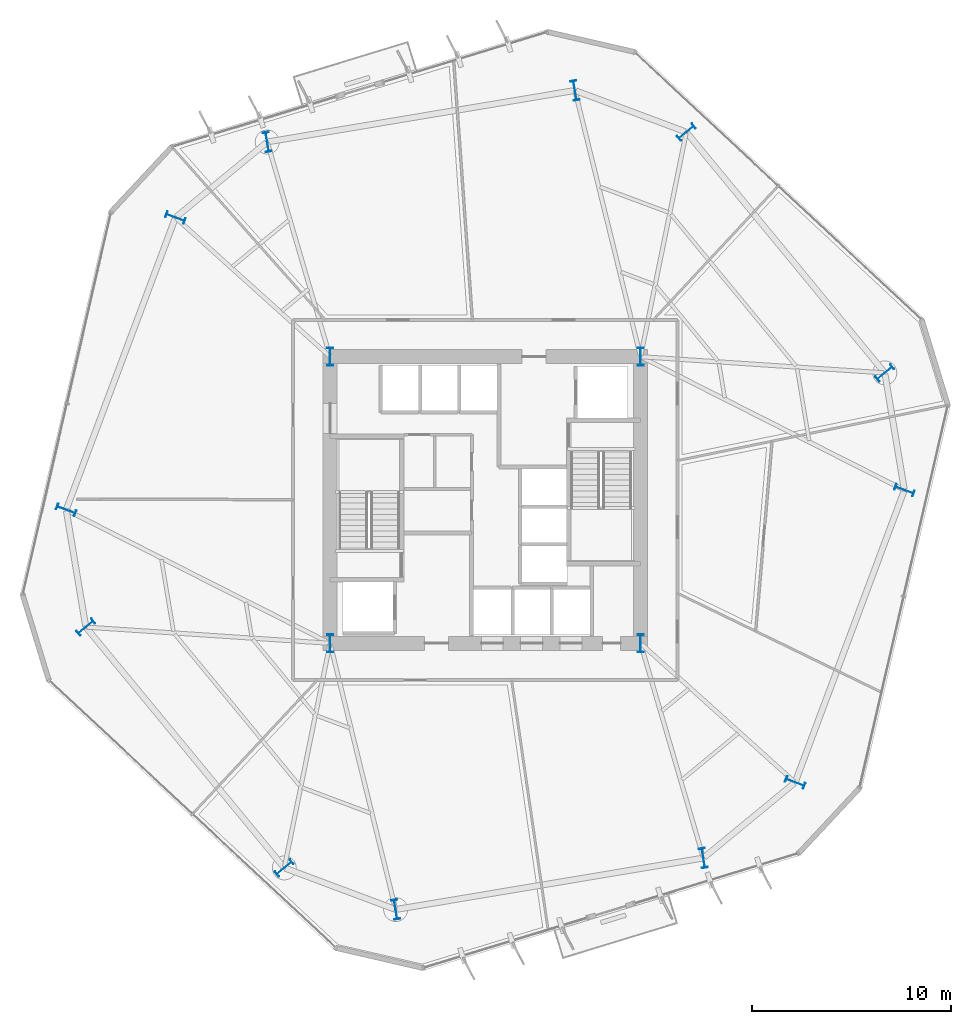
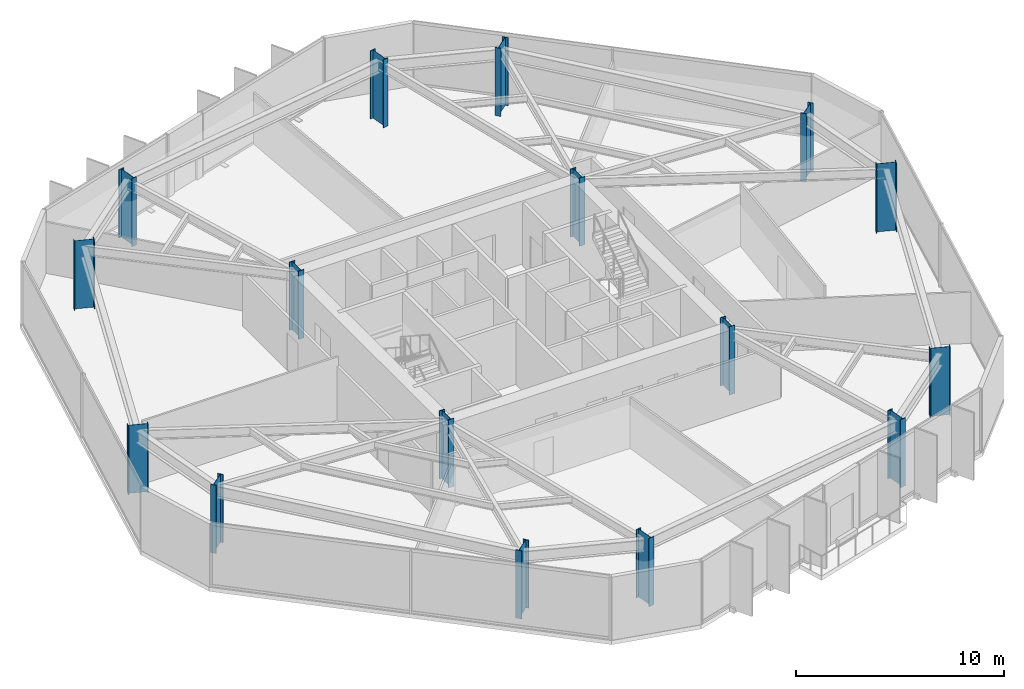
# One storey, part 1 of 9: 16 columns.
"""IFC4 building model written with IfcOpenShell, lengths in metres."""

from ifc_helpers import new_model, si_unit, direction, frame, origin, origin_2d, place, context, subcontext, project, spatial, i_section, extrude, material, material_profile, profile_set, type_object, element, save


model = new_model("IFC4")

# Units and contexts
model_context = context("Model", 3, precision=1e-05, world=origin(), true_north=direction((0.0, 1.0)))
body_context = subcontext(model_context, "Body", "Model", "MODEL_VIEW")
ifc_project = project(units=[si_unit("LENGTHUNIT", "METRE"), si_unit("AREAUNIT", "SQUARE_METRE"), si_unit("VOLUMEUNIT", "CUBIC_METRE"), si_unit("PLANEANGLEUNIT", "RADIAN"), si_unit("MASSUNIT", "GRAM", prefix="KILO")], contexts=[model_context])

# Site, building, storey
site_placement = place(None, origin())
site = spatial("IfcSite", under=ifc_project, at=site_placement, CompositionType="ELEMENT")
building_placement = place(site_placement, origin())
building = spatial("IfcBuilding", under=site, at=building_placement, Name="Kranzbogen Civic Tower", CompositionType="ELEMENT")
storey_placement = place(building_placement, frame((0.0, 0.0, 88.0)))
storey = spatial("IfcBuildingStorey", under=building, at=storey_placement, Name="L21", CompositionType="ELEMENT", Elevation=88.0)

# Columns
ifc_material_1 = material(Name="Steel S355", Category="steel")
ifc_material_profile_1 = material_profile(ifc_material_1, i_section(OverallWidth=0.300048828125, OverallDepth=1.0, WebThickness=0.01904296875, FlangeThickness=0.035888671875, at=origin_2d()), Name="HEB 1000")
ifc_profile_set_1 = profile_set([ifc_material_profile_1], Name="Steel S355")
column_type_1 = type_object("IfcColumnType", Name="Structural Column HEB 1000", PredefinedType="COLUMN", material=ifc_profile_set_1)
for number, where, z_axis, x_axis, name in (
    (1, (45.072021484375, 31.385986328125, 0.0), (0.0, 0.0, 1.0), (-0.636078220278, 0.771624583388, 0.0), "L21 tower perimeter tube column 01"),
    (2, (35.09912109375, 43.48388671875, 0.0), (0.0, 0.0, 1.0), (-0.636078220278, 0.771624583388, 0.0), "L21 tower perimeter tube column 02"),
    (3, (29.5048828125, 45.575927734375, 0.0), (0.0, 0.0, 1.0), (0.986285601537, 0.165047605861, 0.0), "L21 tower perimeter tube column 03"),
    (4, (14.0419921875, 42.988037109375, 0.0), (0.0, 0.0, 1.0), (0.986285601537, 0.165047605861, 0.0), "L21 tower perimeter tube column 04"),
    (5, (9.43310546875, 39.18896484375, 0.0), (0.0, 0.0, 1.0), (0.350207381259, 0.936672189248, 0.0), "L21 tower perimeter tube column 05"),
    (6, (3.943115234375, 24.50390625, 0.0), (0.0, 0.0, 1.0), (0.350207381259, 0.936672189248, 0.0), "L21 tower perimeter tube column 06"),
    (7, (4.927978515625, 18.614013671875, 0.0), (0.0, 0.0, 1.0), (-0.636078220278, 0.771624583388, 0.0), "L21 tower perimeter tube column 07"),
    (8, (14.90087890625, 6.51611328125, 0.0), (0.0, 0.0, 1.0), (-0.636078220278, 0.771624583388, 0.0), "L21 tower perimeter tube column 08"),
    (9, (20.4951171875, 4.424072265625, 0.0), (0.0, 0.0, 1.0), (0.986285601537, 0.165047605861, 0.0), "L21 tower perimeter tube column 09"),
    (10, (35.9580078125, 7.011962890625, 0.0), (0.0, 0.0, 1.0), (0.986285601537, 0.165047605861, 0.0), "L21 tower perimeter tube column 10"),
    (11, (40.56689453125, 10.81103515625, 0.0), (0.0, 0.0, 1.0), (0.350207381259, 0.936672189248, 0.0), "L21 tower perimeter tube column 11"),
    (12, (46.056884765625, 25.49609375, 0.0), (0.0, 0.0, 1.0), (0.350207381259, 0.936672189248, 0.0), "L21 tower perimeter tube column 12"),
):
    element("IfcColumn", number, at=place(storey_placement, frame(where, z_axis=z_axis, x_axis=x_axis)), inside=storey, type_object=column_type_1, Name=name, PredefinedType="COLUMN", context=body_context, shape_type="SweptSolid", body=[
        extrude(i_section(OverallWidth=0.300048828125, OverallDepth=1.0, WebThickness=0.01904296875, FlangeThickness=0.035888671875, at=origin_2d()), origin(), (0.0, 0.0, 1.0), 4.0),
    ])
ifc_material_2 = material(Name="Steel S460", Category="steel")
ifc_material_profile_2 = material_profile(ifc_material_2, i_section(OverallWidth=0.302001953125, OverallDepth=0.909912109375, WebThickness=0.02099609375, FlangeThickness=0.0400390625, at=origin_2d()), Name="HEM 900")
ifc_profile_set_2 = profile_set([ifc_material_profile_2], Name="Steel S460")
column_type_2 = type_object("IfcColumnType", Name="Structural Column HEM 900", PredefinedType="COLUMN", material=ifc_profile_set_2)
for number, where, z_axis, x_axis, name in (
    (13, (17.199951171875, 17.800048828125, 0.0), (0.0, 0.0, 1.0), (1.0, 0.0, 0.0), "L21 composite core corner column 1"),
    (14, (32.800048828125, 17.800048828125, 0.0), (0.0, 0.0, 1.0), (1.0, 0.0, 0.0), "L21 composite core corner column 2"),
    (15, (32.800048828125, 32.199951171875, 0.0), (0.0, 0.0, 1.0), (1.0, 0.0, 0.0), "L21 composite core corner column 3"),
    (16, (17.199951171875, 32.199951171875, 0.0), (0.0, 0.0, 1.0), (1.0, 0.0, 0.0), "L21 composite core corner column 4"),
):
    element("IfcColumn", number, at=place(storey_placement, frame(where, z_axis=z_axis, x_axis=x_axis)), inside=storey, type_object=column_type_2, Name=name, PredefinedType="COLUMN", context=body_context, shape_type="SweptSolid", body=[
        extrude(i_section(OverallWidth=0.302001953125, OverallDepth=0.909912109375, WebThickness=0.02099609375, FlangeThickness=0.0400390625, at=origin_2d()), origin(), (0.0, 0.0, 1.0), 4.0),
    ])

save(model, "model.ifc")
